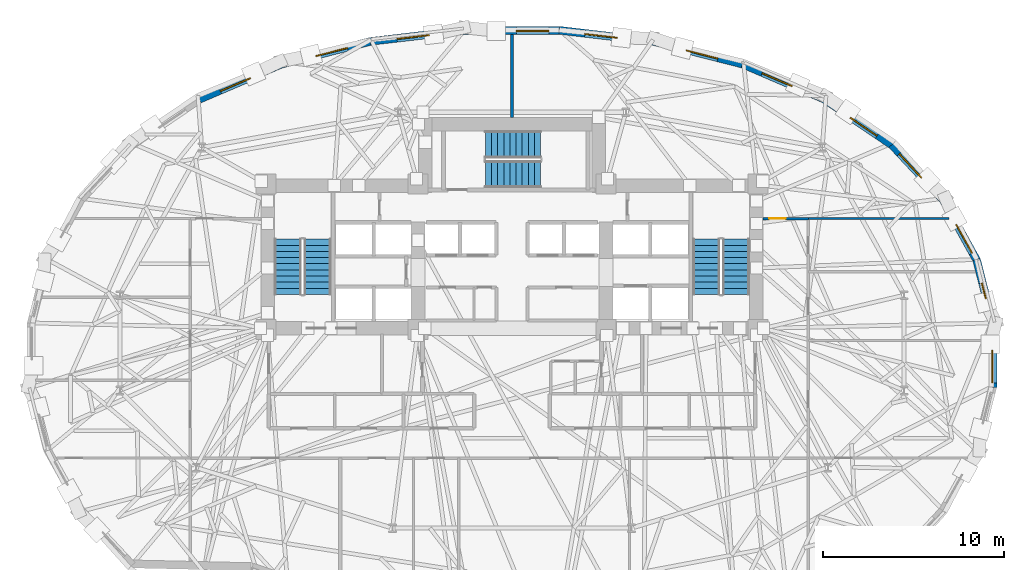
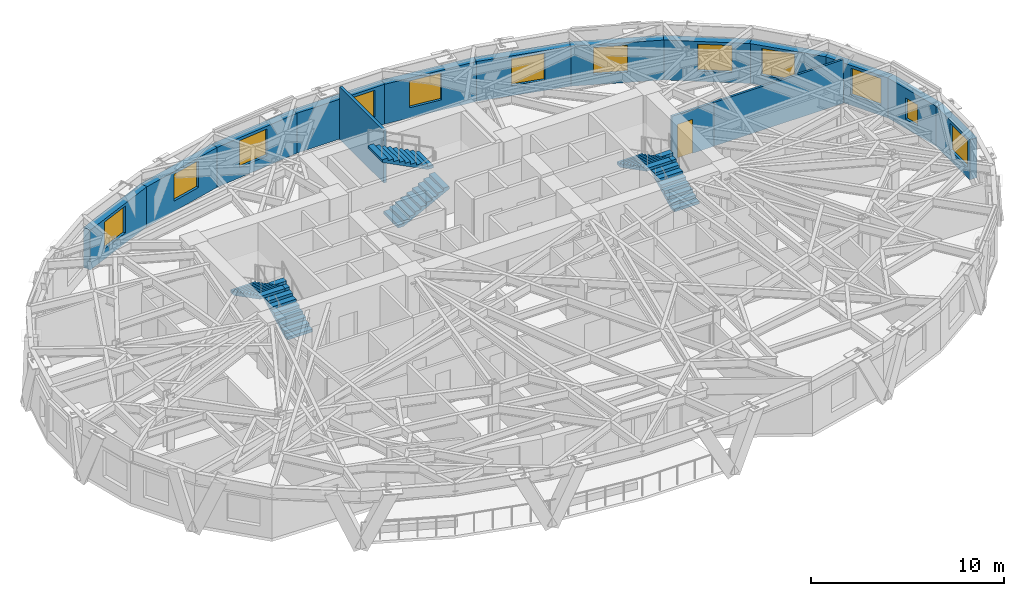
# One storey, part 11 of 15: 15 walls, 12 windows, 6 stair flights, 1 door, 13 openings, 3 elements without a shape of their own.
"""IFC4 building model written with IfcOpenShell, lengths in metres."""

from ifc_helpers import new_model, si_unit, direction, frame, frame_2d, origin, place, context, subcontext, project, spatial, polyline, rectangle, outline, extrude, material, layer, layer_set, type_object, element, fill, aggregate, save


model = new_model("IFC4")

# Units and contexts
model_context = context("Model", 3, precision=1e-05, world=origin(), true_north=direction((0.0, 1.0)))
body_context = subcontext(model_context, "Body", "Model", "MODEL_VIEW")
ifc_project = project(units=[si_unit("LENGTHUNIT", "METRE"), si_unit("AREAUNIT", "SQUARE_METRE"), si_unit("VOLUMEUNIT", "CUBIC_METRE"), si_unit("PLANEANGLEUNIT", "RADIAN"), si_unit("MASSUNIT", "GRAM", prefix="KILO")], contexts=[model_context])

# Site, building, storey
site_placement = place(None, origin())
site = spatial("IfcSite", under=ifc_project, at=site_placement, CompositionType="ELEMENT")
building_placement = place(site_placement, origin())
building = spatial("IfcBuilding", under=site, at=building_placement, Name="Keldmark Tower", CompositionType="ELEMENT")
storey_placement = place(building_placement, frame((0.0, 0.0, 114.10009765625)))
storey = spatial("IfcBuildingStorey", under=building, at=storey_placement, Name="L30", CompositionType="ELEMENT", Elevation=114.10009765625)

# Wall, opening, door
ifc_material_1 = material(Name="Acoustic Double-Layer Gypsum Corridor Partition", Category="gypsum")
ifc_layer_1 = layer(ifc_material_1, 0.139892578125)
ifc_layer_set_1 = layer_set([ifc_layer_1], Name="Acoustic Double-Layer Gypsum Corridor Partition")
wall_type_1 = type_object("IfcWallType", Name="Acoustic Corridor Partition 140 mm", PredefinedType="PARTITIONING", material=ifc_layer_set_1)
wall_1_placement = place(storey_placement, frame((13.89990234375, 7.550048828125, 0.0), z_axis=(0.0, 0.0, 1.0), x_axis=(1.0, 0.0, 0.0)))
wall_1 = element("IfcWall", 1, at=wall_1_placement, inside=storey, type_object=wall_type_1, Name="L30 Acoustic Corridor Partition 140 mm COR-EN-CAP", PredefinedType="PARTITIONING", context=body_context, shape_type="SweptSolid", body=[
    extrude(rectangle(XDim=2.5, YDim=0.139892578125, at=frame_2d((1.25, 0.0))), origin(), (0.0, 0.0, 1.0), 2.762939453125),
])
opening_1_placement = place(wall_1_placement, frame((0.320068359375, 0.0, 0.0)))
opening_1 = element("IfcOpeningElement", 2, at=opening_1_placement, cuts=wall_1, Name="Opening D-EX092", PredefinedType="OPENING", context=body_context, shape_type="SweptSolid", body=[
    extrude(rectangle(XDim=0.919921875, YDim=2.14990234375, at=frame_2d((0.4599609375, 1.074951171875))), frame((0.0, 0.079833984375, 0.0), z_axis=(0.0, -1.0, 0.0), x_axis=(1.0, 0.0, 0.0)), (0.0, 0.0, 1.0), 0.159912109375),
])
ifc_material_2 = material(Name="Flush American Ash Executive Office Door", Category="wood")
door_type = type_object("IfcDoorType", Name="Executive Office Door 920x2150", OperationType="NOTDEFINED", PredefinedType="DOOR", material=ifc_material_2)
door_placement = place(opening_1_placement, origin())
door = element("IfcDoor", 3, at=door_placement, inside=storey, type_object=door_type, Name="L30 Executive Office Door 920x2150 D-NRNE-L30", OperationType="SINGLE_SWING_RIGHT", OverallHeight=2.14990234375, OverallWidth=0.919921875, PredefinedType="DOOR", context=body_context, shape_type="SweptSolid", body=[
    extrude(rectangle(XDim=0.919921875, YDim=2.14990234375, at=frame_2d((0.4599609375, 1.074951171875))), frame((0.0, 0.02490234375, 0.0), z_axis=(0.0, -1.0, 0.0), x_axis=(1.0, 0.0, 0.0)), (0.0, 0.0, 1.0), 0.050048828125),
])
fill(opening_1, door)

# Walls
ifc_material_3 = material(Name="STC-58 Insulated Tenant Demising Gypsum Partition", Category="gypsum")
ifc_layer_2 = layer(ifc_material_3, 0.175048828125)
ifc_layer_set_2 = layer_set([ifc_layer_2], Name="STC-58 Insulated Tenant Demising Gypsum Partition")
wall_type_2 = type_object("IfcWallType", Name="Demising Suite Partition 175 mm", PredefinedType="PARTITIONING", material=ifc_layer_set_2)
wall_2_placement = place(storey_placement, frame((0.0, 13.14990234375, 0.0), z_axis=(0.0, 0.0, 1.0), x_axis=(0.0, 1.0, 0.0)))
element("IfcWall", 4, at=wall_2_placement, inside=storey, type_object=wall_type_2, Name="L30 Demising Suite Partition 175 mm N-MID-DIV", PredefinedType="PARTITIONING", context=body_context, shape_type="SweptSolid", body=[
    extrude(rectangle(XDim=4.584716796875, YDim=0.175048828125, at=frame_2d((2.29248046875, 0.0))), origin(), (0.0, 0.0, 1.0), 3.309814453125),
])
ifc_material_4 = material(Name="Acoustic Gypsum Board Interior Partition", Category="gypsum")
ifc_layer_3 = layer(ifc_material_4, 0.1298828125)
ifc_layer_set_3 = layer_set([ifc_layer_3], Name="Acoustic Gypsum Board Interior Partition")
wall_type_3 = type_object("IfcWallType", Name="Interior Partition 130 mm", PredefinedType="PARTITIONING", material=ifc_layer_set_3)
wall_3_placement = place(storey_placement, frame((16.39990234375, 7.550048828125, 0.0), z_axis=(0.0, 0.0, 1.0), x_axis=(1.0, 0.0, 0.0)))
element("IfcWall", 5, at=wall_3_placement, inside=storey, type_object=wall_type_3, Name="L30 Interior Partition 130 mm E-CAP-N", PredefinedType="PARTITIONING", context=body_context, shape_type="SweptSolid", body=[
    extrude(rectangle(XDim=7.769287109375, YDim=0.1298828125, at=frame_2d((3.884765625, 0.0))), origin(), (0.0, 0.0, 1.0), 2.762939453125),
])

# Wall, opening, window
ifc_material_5 = material(Name="Ironspot Manganese Brick and Kasota Buff Limestone Spandrel Assembly", Category="masonry")
ifc_layer_4 = layer(ifc_material_5, 0.43994140625)
ifc_layer_set_4 = layer_set([ifc_layer_4], Name="Ironspot Manganese Brick and Kasota Buff Limestone Spandrel Assembly")
wall_type_4 = type_object("IfcWallType", Name="Tower Brick Pier and Spandrel Wall 440 mm", PredefinedType="STANDARD", material=ifc_layer_set_4)
wall_4_placement = place(storey_placement, frame((25.704345703125, 5.275634765625, 0.0), z_axis=(0.0, 0.0, 1.0), x_axis=(0.247172296022, -0.968971545547, 0.0)))
wall_4 = element("IfcWall", 6, at=wall_4_placement, inside=storey, type_object=wall_type_4, Name="L30 Exterior Brick and Spandrel Wall 01", PredefinedType="STANDARD", context=body_context, shape_type="SweptSolid", body=[
    extrude(rectangle(XDim=3.652587890625, YDim=0.43994140625, at=frame_2d((1.826171875, 0.0))), origin(), (0.0, 0.0, 1.0), 2.52783203125),
])
opening_2_placement = place(wall_4_placement, frame((1.327392578125, 0.0, 0.580078125)))
opening_2 = element("IfcOpeningElement", 7, at=opening_2_placement, cuts=wall_4, Name="Opening W-09", PredefinedType="OPENING", context=body_context, shape_type="SweptSolid", body=[
    extrude(rectangle(XDim=0.89990234375, YDim=1.35009765625, at=frame_2d((0.449951171875, 0.675048828125))), frame((0.0, 0.22998046875, 0.0), z_axis=(0.0, -1.0, 0.0), x_axis=(1.0, 0.0, 0.0)), (0.0, 0.0, 1.0), 0.4599609375),
])
ifc_material_6 = material(Name="Thermally Broken Anodized Aluminum and Triple Low-E Argon Glazing", Category="aluminium")
window_type_1 = type_object("IfcWindowType", Name="Corner Pier Deep-Set Window 900x1350", PartitioningType="SINGLE_PANEL", PredefinedType="WINDOW", material=ifc_material_6)
window_1_placement = place(opening_2_placement, origin())
window_1 = element("IfcWindow", 8, at=window_1_placement, inside=storey, type_object=window_type_1, Name="L30 Deep-Set Window 01", OverallHeight=1.35009765625, OverallWidth=0.89990234375, PartitioningType="SINGLE_PANEL", PredefinedType="WINDOW", context=body_context, shape_type="SweptSolid", body=[
    extrude(rectangle(XDim=0.89990234375, YDim=1.35009765625, at=frame_2d((0.449951171875, 0.675048828125))), frame((0.0, -0.010009765625, 0.0), z_axis=(0.0, -1.0, 0.0), x_axis=(1.0, 0.0, 0.0)), (0.0, 0.0, 1.0), 0.06005859375),
])
fill(opening_2, window_1)

wall_5_placement = place(storey_placement, frame((23.84423828125, 8.60302734375, 0.0), z_axis=(0.0, 0.0, 1.0), x_axis=(0.486285838125, -0.873799796086, 0.0)))
wall_5 = element("IfcWall", 9, at=wall_5_placement, inside=storey, type_object=wall_type_4, Name="L30 Exterior Brick and Spandrel Wall 02", PredefinedType="STANDARD", context=body_context, shape_type="SweptSolid", body=[
    extrude(rectangle(XDim=3.868408203125, YDim=0.43994140625, at=frame_2d((1.93408203125, 0.0))), origin(), (0.0, 0.0, 1.0), 2.52783203125),
])
opening_3_placement = place(wall_5_placement, frame((1.57373046875, 0.0, 0.64990234375)))
opening_3 = element("IfcOpeningElement", 10, at=opening_3_placement, cuts=wall_5, Name="Opening W-02", PredefinedType="OPENING", context=body_context, shape_type="SweptSolid", body=[
    extrude(rectangle(XDim=1.800048828125, YDim=1.699951171875, at=frame_2d((0.89990234375, 0.85009765625))), frame((0.0, 0.22998046875, 0.0), z_axis=(0.0, -1.0, 0.0), x_axis=(1.0, 0.0, 0.0)), (0.0, 0.0, 1.0), 0.4599609375),
])
ifc_material_7 = material(Name="Thermally Broken Anodized Aluminum and Triple Low-E Argon Glazing", Category="aluminium")
window_type_2 = type_object("IfcWindowType", Name="Office Deep-Set Triple Window 1800x1700", PartitioningType="TRIPLE_PANEL_VERTICAL", PredefinedType="WINDOW", material=ifc_material_7)
window_2_placement = place(opening_3_placement, origin())
window_2 = element("IfcWindow", 11, at=window_2_placement, inside=storey, type_object=window_type_2, Name="L30 Deep-Set Window 02", OverallHeight=1.699951171875, OverallWidth=1.800048828125, PartitioningType="SINGLE_PANEL", PredefinedType="WINDOW", context=body_context, shape_type="SweptSolid", body=[
    extrude(rectangle(XDim=1.800048828125, YDim=1.699951171875, at=frame_2d((0.89990234375, 0.85009765625))), frame((0.0, -0.010009765625, 0.0), z_axis=(0.0, -1.0, 0.0), x_axis=(1.0, 0.0, 0.0)), (0.0, 0.0, 1.0), 0.06005859375),
])
fill(opening_3, window_2)

wall_6_placement = place(storey_placement, frame((21.010498046875, 11.629150390625, 0.0), z_axis=(0.0, 0.0, 1.0), x_axis=(0.682353469166, -0.73102239577, 0.0)))
wall_6 = element("IfcWall", 12, at=wall_6_placement, inside=storey, type_object=wall_type_4, Name="L30 Exterior Brick and Spandrel Wall 03", PredefinedType="STANDARD", context=body_context, shape_type="SweptSolid", body=[
    extrude(rectangle(XDim=4.19873046875, YDim=0.43994140625, at=frame_2d((2.099365234375, 0.0))), origin(), (0.0, 0.0, 1.0), 2.52783203125),
])
opening_4_placement = place(wall_6_placement, frame((0.649658203125, 0.0, 0.64990234375)))
opening_4 = element("IfcOpeningElement", 13, at=opening_4_placement, cuts=wall_6, Name="Opening W-02", PredefinedType="OPENING", context=body_context, shape_type="SweptSolid", body=[
    extrude(rectangle(XDim=1.800048828125, YDim=1.699951171875, at=frame_2d((0.89990234375, 0.85009765625))), frame((0.0, 0.22998046875, 0.0), z_axis=(0.0, -1.0, 0.0), x_axis=(1.0, 0.0, 0.0)), (0.0, 0.0, 1.0), 0.4599609375),
])
window_3_placement = place(opening_4_placement, origin())
window_3 = element("IfcWindow", 14, at=window_3_placement, inside=storey, type_object=window_type_2, Name="L30 Deep-Set Window 03", OverallHeight=1.699951171875, OverallWidth=1.800048828125, PartitioningType="SINGLE_PANEL", PredefinedType="WINDOW", context=body_context, shape_type="SweptSolid", body=[
    extrude(rectangle(XDim=1.800048828125, YDim=1.699951171875, at=frame_2d((0.89990234375, 0.85009765625))), frame((0.0, -0.010009765625, 0.0), z_axis=(0.0, -1.0, 0.0), x_axis=(1.0, 0.0, 0.0)), (0.0, 0.0, 1.0), 0.06005859375),
])
fill(opening_4, window_3)

wall_7_placement = place(storey_placement, frame((17.25146484375, 14.1708984375, 0.0), z_axis=(0.0, 0.0, 1.0), x_axis=(0.827717717125, -0.561144705719, 0.0)))
wall_7 = element("IfcWall", 15, at=wall_7_placement, inside=storey, type_object=wall_type_4, Name="L30 Exterior Brick and Spandrel Wall 04", PredefinedType="STANDARD", context=body_context, shape_type="SweptSolid", body=[
    extrude(rectangle(XDim=4.586669921875, YDim=0.43994140625, at=frame_2d((2.29345703125, 0.0))), origin(), (0.0, 0.0, 1.0), 2.52783203125),
])
opening_5_placement = place(wall_7_placement, frame((1.791015625, 0.0, 0.64990234375)))
opening_5 = element("IfcOpeningElement", 16, at=opening_5_placement, cuts=wall_7, Name="Opening W-02", PredefinedType="OPENING", context=body_context, shape_type="SweptSolid", body=[
    extrude(rectangle(XDim=1.800048828125, YDim=1.699951171875, at=frame_2d((0.89990234375, 0.85009765625))), frame((0.0, 0.22998046875, 0.0), z_axis=(0.0, -1.0, 0.0), x_axis=(1.0, 0.0, 0.0)), (0.0, 0.0, 1.0), 0.4599609375),
])
window_4_placement = place(opening_5_placement, origin())
window_4 = element("IfcWindow", 17, at=window_4_placement, inside=storey, type_object=window_type_2, Name="L30 Deep-Set Window 04", OverallHeight=1.699951171875, OverallWidth=1.800048828125, PartitioningType="SINGLE_PANEL", PredefinedType="WINDOW", context=body_context, shape_type="SweptSolid", body=[
    extrude(rectangle(XDim=1.800048828125, YDim=1.699951171875, at=frame_2d((0.89990234375, 0.85009765625))), frame((0.0, -0.010009765625, 0.0), z_axis=(0.0, -1.0, 0.0), x_axis=(1.0, 0.0, 0.0)), (0.0, 0.0, 1.0), 0.06005859375),
])
fill(opening_5, window_4)

wall_8_placement = place(storey_placement, frame((12.760986328125, 16.093017578125, 0.0), z_axis=(0.0, 0.0, 1.0), x_axis=(0.919001414266, -0.39425423343, 0.0)))
wall_8 = element("IfcWall", 18, at=wall_8_placement, inside=storey, type_object=wall_type_4, Name="L30 Exterior Brick and Spandrel Wall 05", PredefinedType="STANDARD", context=body_context, shape_type="SweptSolid", body=[
    extrude(rectangle(XDim=4.926025390625, YDim=0.43994140625, at=frame_2d((2.462890625, 0.0))), origin(), (0.0, 0.0, 1.0), 2.52783203125),
])
opening_6_placement = place(wall_8_placement, frame((1.19140625, 0.0, 0.64990234375)))
opening_6 = element("IfcOpeningElement", 19, at=opening_6_placement, cuts=wall_8, Name="Opening W-02", PredefinedType="OPENING", context=body_context, shape_type="SweptSolid", body=[
    extrude(rectangle(XDim=1.800048828125, YDim=1.699951171875, at=frame_2d((0.89990234375, 0.85009765625))), frame((0.0, 0.22998046875, 0.0), z_axis=(0.0, -1.0, 0.0), x_axis=(1.0, 0.0, 0.0)), (0.0, 0.0, 1.0), 0.4599609375),
])
window_5_placement = place(opening_6_placement, origin())
window_5 = element("IfcWindow", 20, at=window_5_placement, inside=storey, type_object=window_type_2, Name="L30 Deep-Set Window 05", OverallHeight=1.699951171875, OverallWidth=1.800048828125, PartitioningType="SINGLE_PANEL", PredefinedType="WINDOW", context=body_context, shape_type="SweptSolid", body=[
    extrude(rectangle(XDim=1.800048828125, YDim=1.699951171875, at=frame_2d((0.89990234375, 0.85009765625))), frame((0.0, -0.010009765625, 0.0), z_axis=(0.0, -1.0, 0.0), x_axis=(1.0, 0.0, 0.0)), (0.0, 0.0, 1.0), 0.06005859375),
])
fill(opening_6, window_5)

wall_9_placement = place(storey_placement, frame((7.8076171875, 17.357666015625, 0.0), z_axis=(0.0, 0.0, 1.0), x_axis=(0.968802439575, -0.247834285507, 0.0)))
wall_9 = element("IfcWall", 21, at=wall_9_placement, inside=storey, type_object=wall_type_4, Name="L30 Exterior Brick and Spandrel Wall 06", PredefinedType="STANDARD", context=body_context, shape_type="SweptSolid", body=[
    extrude(rectangle(XDim=5.146240234375, YDim=0.43994140625, at=frame_2d((2.5732421875, 0.0))), origin(), (0.0, 0.0, 1.0), 2.52783203125),
])
opening_7_placement = place(wall_9_placement, frame((1.897705078125, 0.0, 0.64990234375)))
opening_7 = element("IfcOpeningElement", 22, at=opening_7_placement, cuts=wall_9, Name="Opening W-02", PredefinedType="OPENING", context=body_context, shape_type="SweptSolid", body=[
    extrude(rectangle(XDim=1.800048828125, YDim=1.699951171875, at=frame_2d((0.89990234375, 0.85009765625))), frame((0.0, 0.22998046875, 0.0), z_axis=(0.0, -1.0, 0.0), x_axis=(1.0, 0.0, 0.0)), (0.0, 0.0, 1.0), 0.4599609375),
])
window_6_placement = place(opening_7_placement, origin())
window_6 = element("IfcWindow", 23, at=window_6_placement, inside=storey, type_object=window_type_2, Name="L30 Deep-Set Window 06", OverallHeight=1.699951171875, OverallWidth=1.800048828125, PartitioningType="SINGLE_PANEL", PredefinedType="WINDOW", context=body_context, shape_type="SweptSolid", body=[
    extrude(rectangle(XDim=1.800048828125, YDim=1.699951171875, at=frame_2d((0.89990234375, 0.85009765625))), frame((0.0, -0.010009765625, 0.0), z_axis=(0.0, -1.0, 0.0), x_axis=(1.0, 0.0, 0.0)), (0.0, 0.0, 1.0), 0.06005859375),
])
fill(opening_7, window_6)

wall_10_placement = place(storey_placement, frame((2.615966796875, 17.964111328125, 0.0), z_axis=(0.0, 0.0, 1.0), x_axis=(0.993202502633, -0.116399264444, 0.0)))
wall_10 = element("IfcWall", 24, at=wall_10_placement, inside=storey, type_object=wall_type_4, Name="L30 Exterior Brick and Spandrel Wall 07", PredefinedType="STANDARD", context=body_context, shape_type="SweptSolid", body=[
    extrude(rectangle(XDim=5.256103515625, YDim=0.43994140625, at=frame_2d((2.6279296875, 0.0))), origin(), (0.0, 0.0, 1.0), 2.52783203125),
])
opening_8_placement = place(wall_10_placement, frame((1.432373046875, 0.0, 0.64990234375)))
opening_8 = element("IfcOpeningElement", 25, at=opening_8_placement, cuts=wall_10, Name="Opening W-02", PredefinedType="OPENING", context=body_context, shape_type="SweptSolid", body=[
    extrude(rectangle(XDim=1.800048828125, YDim=1.699951171875, at=frame_2d((0.89990234375, 0.85009765625))), frame((0.0, 0.22998046875, 0.0), z_axis=(0.0, -1.0, 0.0), x_axis=(1.0, 0.0, 0.0)), (0.0, 0.0, 1.0), 0.4599609375),
])
window_7_placement = place(opening_8_placement, origin())
window_7 = element("IfcWindow", 26, at=window_7_placement, inside=storey, type_object=window_type_2, Name="L30 Deep-Set Window 07", OverallHeight=1.699951171875, OverallWidth=1.800048828125, PartitioningType="SINGLE_PANEL", PredefinedType="WINDOW", context=body_context, shape_type="SweptSolid", body=[
    extrude(rectangle(XDim=1.800048828125, YDim=1.699951171875, at=frame_2d((0.89990234375, 0.85009765625))), frame((0.0, -0.010009765625, 0.0), z_axis=(0.0, -1.0, 0.0), x_axis=(1.0, 0.0, 0.0)), (0.0, 0.0, 1.0), 0.06005859375),
])
fill(opening_8, window_7)

wall_11_placement = place(storey_placement, frame((-2.6416015625, 17.962646484375, 0.0), z_axis=(0.0, 0.0, 1.0), x_axis=(1.0, 0.0, 0.0)))
wall_11 = element("IfcWall", 27, at=wall_11_placement, inside=storey, type_object=wall_type_4, Name="L30 Exterior Brick and Spandrel Wall 08", PredefinedType="STANDARD", context=body_context, shape_type="SweptSolid", body=[
    extrude(rectangle(XDim=5.283203125, YDim=0.43994140625, at=frame_2d((2.6416015625, 0.0))), origin(), (0.0, 0.0, 1.0), 2.52783203125),
])
opening_9_placement = place(wall_11_placement, frame((2.885498046875, 0.0, 0.64990234375)))
opening_9 = element("IfcOpeningElement", 28, at=opening_9_placement, cuts=wall_11, Name="Opening W-02", PredefinedType="OPENING", context=body_context, shape_type="SweptSolid", body=[
    extrude(rectangle(XDim=1.800048828125, YDim=1.699951171875, at=frame_2d((0.89990234375, 0.85009765625))), frame((0.0, 0.22998046875, 0.0), z_axis=(0.0, -1.0, 0.0), x_axis=(1.0, 0.0, 0.0)), (0.0, 0.0, 1.0), 0.4599609375),
])
window_8_placement = place(opening_9_placement, origin())
window_8 = element("IfcWindow", 29, at=window_8_placement, inside=storey, type_object=window_type_2, Name="L30 Deep-Set Window 08", OverallHeight=1.699951171875, OverallWidth=1.800048828125, PartitioningType="SINGLE_PANEL", PredefinedType="WINDOW", context=body_context, shape_type="SweptSolid", body=[
    extrude(rectangle(XDim=1.800048828125, YDim=1.699951171875, at=frame_2d((0.89990234375, 0.85009765625))), frame((0.0, -0.010009765625, 0.0), z_axis=(0.0, -1.0, 0.0), x_axis=(1.0, 0.0, 0.0)), (0.0, 0.0, 1.0), 0.06005859375),
])
fill(opening_9, window_8)

wall_12_placement = place(storey_placement, frame((-7.83642578125, 17.352294921875, 0.0), z_axis=(0.0, 0.0, 1.0), x_axis=(0.993202502633, 0.116399264444, 0.0)))
wall_12 = element("IfcWall", 30, at=wall_12_placement, inside=storey, type_object=wall_type_4, Name="L30 Exterior Brick and Spandrel Wall 09", PredefinedType="STANDARD", context=body_context, shape_type="SweptSolid", body=[
    extrude(rectangle(XDim=5.256103515625, YDim=0.43994140625, at=frame_2d((2.6279296875, 0.0))), origin(), (0.0, 0.0, 1.0), 2.52783203125),
])
opening_10_placement = place(wall_12_placement, frame((1.481689453125, 0.0, 0.64990234375)))
opening_10 = element("IfcOpeningElement", 31, at=opening_10_placement, cuts=wall_12, Name="Opening W-02", PredefinedType="OPENING", context=body_context, shape_type="SweptSolid", body=[
    extrude(rectangle(XDim=1.800048828125, YDim=1.699951171875, at=frame_2d((0.89990234375, 0.85009765625))), frame((0.0, 0.22998046875, 0.0), z_axis=(0.0, -1.0, 0.0), x_axis=(1.0, 0.0, 0.0)), (0.0, 0.0, 1.0), 0.4599609375),
])
window_9_placement = place(opening_10_placement, origin())
window_9 = element("IfcWindow", 32, at=window_9_placement, inside=storey, type_object=window_type_2, Name="L30 Deep-Set Window 09", OverallHeight=1.699951171875, OverallWidth=1.800048828125, PartitioningType="SINGLE_PANEL", PredefinedType="WINDOW", context=body_context, shape_type="SweptSolid", body=[
    extrude(rectangle(XDim=1.800048828125, YDim=1.699951171875, at=frame_2d((0.89990234375, 0.85009765625))), frame((0.0, -0.010009765625, 0.0), z_axis=(0.0, -1.0, 0.0), x_axis=(1.0, 0.0, 0.0)), (0.0, 0.0, 1.0), 0.06005859375),
])
fill(opening_10, window_9)

wall_13_placement = place(storey_placement, frame((-12.793212890625, 16.082275390625, 0.0), z_axis=(0.0, 0.0, 1.0), x_axis=(0.968802439575, 0.247834285507, 0.0)))
wall_13 = element("IfcWall", 33, at=wall_13_placement, inside=storey, type_object=wall_type_4, Name="L30 Exterior Brick and Spandrel Wall 10", PredefinedType="STANDARD", context=body_context, shape_type="SweptSolid", body=[
    extrude(rectangle(XDim=5.146240234375, YDim=0.43994140625, at=frame_2d((2.5732421875, 0.0))), origin(), (0.0, 0.0, 1.0), 2.52783203125),
])
opening_11_placement = place(wall_13_placement, frame((1.997802734375, 0.0, 0.64990234375)))
opening_11 = element("IfcOpeningElement", 34, at=opening_11_placement, cuts=wall_13, Name="Opening W-02", PredefinedType="OPENING", context=body_context, shape_type="SweptSolid", body=[
    extrude(rectangle(XDim=1.800048828125, YDim=1.699951171875, at=frame_2d((0.89990234375, 0.85009765625))), frame((0.0, 0.22998046875, 0.0), z_axis=(0.0, -1.0, 0.0), x_axis=(1.0, 0.0, 0.0)), (0.0, 0.0, 1.0), 0.4599609375),
])
window_10_placement = place(opening_11_placement, origin())
window_10 = element("IfcWindow", 35, at=window_10_placement, inside=storey, type_object=window_type_2, Name="L30 Deep-Set Window 10", OverallHeight=1.699951171875, OverallWidth=1.800048828125, PartitioningType="SINGLE_PANEL", PredefinedType="WINDOW", context=body_context, shape_type="SweptSolid", body=[
    extrude(rectangle(XDim=1.800048828125, YDim=1.699951171875, at=frame_2d((0.89990234375, 0.85009765625))), frame((0.0, -0.010009765625, 0.0), z_axis=(0.0, -1.0, 0.0), x_axis=(1.0, 0.0, 0.0)), (0.0, 0.0, 1.0), 0.06005859375),
])
fill(opening_11, window_10)

wall_14_placement = place(storey_placement, frame((-17.2880859375, 14.15087890625, 0.0), z_axis=(0.0, 0.0, 1.0), x_axis=(0.919001414266, 0.39425423343, 0.0)))
wall_14 = element("IfcWall", 36, at=wall_14_placement, inside=storey, type_object=wall_type_4, Name="L30 Exterior Brick and Spandrel Wall 11", PredefinedType="STANDARD", context=body_context, shape_type="SweptSolid", body=[
    extrude(rectangle(XDim=4.926025390625, YDim=0.43994140625, at=frame_2d((2.462890625, 0.0))), origin(), (0.0, 0.0, 1.0), 2.52783203125),
])
opening_12_placement = place(wall_14_placement, frame((1.240966796875, 0.0, 0.64990234375)))
opening_12 = element("IfcOpeningElement", 37, at=opening_12_placement, cuts=wall_14, Name="Opening W-02", PredefinedType="OPENING", context=body_context, shape_type="SweptSolid", body=[
    extrude(rectangle(XDim=1.800048828125, YDim=1.699951171875, at=frame_2d((0.89990234375, 0.85009765625))), frame((0.0, 0.22998046875, 0.0), z_axis=(0.0, -1.0, 0.0), x_axis=(1.0, 0.0, 0.0)), (0.0, 0.0, 1.0), 0.4599609375),
])
window_11_placement = place(opening_12_placement, origin())
window_11 = element("IfcWindow", 38, at=window_11_placement, inside=storey, type_object=window_type_2, Name="L30 Deep-Set Window 11", OverallHeight=1.699951171875, OverallWidth=1.800048828125, PartitioningType="SINGLE_PANEL", PredefinedType="WINDOW", context=body_context, shape_type="SweptSolid", body=[
    extrude(rectangle(XDim=1.800048828125, YDim=1.699951171875, at=frame_2d((0.89990234375, 0.85009765625))), frame((0.0, -0.010009765625, 0.0), z_axis=(0.0, -1.0, 0.0), x_axis=(1.0, 0.0, 0.0)), (0.0, 0.0, 1.0), 0.06005859375),
])
fill(opening_12, window_11)

wall_15_placement = place(storey_placement, frame((26.600341796875, 1.790771484375, 0.0), z_axis=(0.0, 0.0, 1.0), x_axis=(0.0, -1.0, 0.0)))
wall_15 = element("IfcWall", 39, at=wall_15_placement, inside=storey, type_object=wall_type_4, Name="L30 Exterior Brick and Spandrel Wall 32", PredefinedType="STANDARD", context=body_context, shape_type="SweptSolid", body=[
    extrude(rectangle(XDim=3.58154296875, YDim=0.43994140625, at=frame_2d((1.790771484375, 0.0))), origin(), (0.0, 0.0, 1.0), 2.52783203125),
])
opening_13_placement = place(wall_15_placement, frame((1.5322265625, 0.0, 0.64990234375)))
opening_13 = element("IfcOpeningElement", 40, at=opening_13_placement, cuts=wall_15, Name="Opening W-02", PredefinedType="OPENING", context=body_context, shape_type="SweptSolid", body=[
    extrude(rectangle(XDim=1.800048828125, YDim=1.699951171875, at=frame_2d((0.89990234375, 0.85009765625))), frame((0.0, 0.22998046875, 0.0), z_axis=(0.0, -1.0, 0.0), x_axis=(1.0, 0.0, 0.0)), (0.0, 0.0, 1.0), 0.4599609375),
])
window_12_placement = place(opening_13_placement, origin())
window_12 = element("IfcWindow", 41, at=window_12_placement, inside=storey, type_object=window_type_2, Name="L30 Deep-Set Window 32", OverallHeight=1.699951171875, OverallWidth=1.800048828125, PartitioningType="SINGLE_PANEL", PredefinedType="WINDOW", context=body_context, shape_type="SweptSolid", body=[
    extrude(rectangle(XDim=1.800048828125, YDim=1.699951171875, at=frame_2d((0.89990234375, 0.85009765625))), frame((0.0, -0.010009765625, 0.0), z_axis=(0.0, -1.0, 0.0), x_axis=(1.0, 0.0, 0.0)), (0.0, 0.0, 1.0), 0.06005859375),
])
fill(opening_13, window_12)

# Stair, stair flights
ifc_material_8 = material(Name="Concrete C40/50", Category="concrete")
stair_type = type_object("IfcStairType", Name="Precast Concrete Core Exit Stair", PredefinedType="HALF_TURN_STAIR", material=ifc_material_8)
stair_1_placement = place(storey_placement, origin())
stair_1 = element("IfcStair", 42, at=stair_1_placement, inside=storey, type_object=stair_type, Name="L30 Exit Stair ST1", PredefinedType="HALF_TURN_STAIR")
ifc_material_9 = material(Name="Concrete C40/50", Category="concrete")
stair_flight_type = type_object("IfcStairFlightType", Name="Precast Concrete Stair Flight 1500 mm", PredefinedType="STRAIGHT", material=ifc_material_9)
stair_flight_1_placement = place(storey_placement, frame((-10.75, 3.35009765625, 0.0), z_axis=(0.0, 0.0, 1.0), x_axis=(0.0, 1.0, 0.0)))
stair_flight_1 = element("IfcStairFlight", 43, at=stair_flight_1_placement, type_object=stair_flight_type, Name="ST1 flight 1", NumberOfRisers=10, NumberOfTreads=9, PredefinedType="STRAIGHT", RiserHeight=0.175, TreadLength=0.34, context=body_context, shape_type="SweptSolid", body=[
    extrude(outline(polyline([(0.0, 0.0), (0.0, 0.175048828125), (0.340087890625, 0.175048828125), (0.340087890625, 0.35009765625), (0.679931640625, 0.35009765625), (0.679931640625, 0.52490234375), (1.02001953125, 0.52490234375), (1.02001953125, 0.699951171875), (1.360107421875, 0.699951171875), (1.360107421875, 0.875), (1.699951171875, 0.875), (1.699951171875, 1.050048828125), (2.0400390625, 1.050048828125), (2.0400390625, 1.22509765625), (2.3798828125, 1.22509765625), (2.3798828125, 1.39990234375), (2.719970703125, 1.39990234375), (2.719970703125, 1.574951171875), (3.06005859375, 1.574951171875), (3.06005859375, 1.75), (3.06005859375, 1.406494140625), (0.32763671875, 0.0), (0.0, 0.0)])), frame((0.0, 0.75, 0.0), z_axis=(0.0, -1.0, 0.0), x_axis=(1.0, 0.0, 0.0)), (0.0, 0.0, 1.0), 1.5),
])
stair_flight_2_placement = place(storey_placement, frame((-12.39990234375, 6.409912109375, 1.75), z_axis=(0.0, 0.0, 1.0), x_axis=(0.0, -1.0, 0.0)))
stair_flight_2 = element("IfcStairFlight", 44, at=stair_flight_2_placement, type_object=stair_flight_type, Name="ST1 flight 2", NumberOfRisers=10, NumberOfTreads=9, PredefinedType="STRAIGHT", RiserHeight=0.175, TreadLength=0.34, context=body_context, shape_type="SweptSolid", body=[
    extrude(outline(polyline([(0.0, 0.0), (0.0, 0.175048828125), (0.340087890625, 0.175048828125), (0.340087890625, 0.35009765625), (0.679931640625, 0.35009765625), (0.679931640625, 0.52490234375), (1.02001953125, 0.52490234375), (1.02001953125, 0.699951171875), (1.360107421875, 0.699951171875), (1.360107421875, 0.875), (1.699951171875, 0.875), (1.699951171875, 1.050048828125), (2.0400390625, 1.050048828125), (2.0400390625, 1.22509765625), (2.3798828125, 1.22509765625), (2.3798828125, 1.39990234375), (2.719970703125, 1.39990234375), (2.719970703125, 1.574951171875), (3.06005859375, 1.574951171875), (3.06005859375, 1.75), (3.06005859375, 1.406494140625), (0.32763671875, 0.0), (0.0, 0.0)])), frame((0.0, 0.75, 0.0), z_axis=(0.0, -1.0, 0.0), x_axis=(1.0, 0.0, 0.0)), (0.0, 0.0, 1.0), 1.5),
])
aggregate(stair_1, [stair_flight_1, stair_flight_2])

stair_2_placement = place(storey_placement, origin())
stair_2 = element("IfcStair", 45, at=stair_2_placement, inside=storey, type_object=stair_type, Name="L30 Exit Stair ST2", PredefinedType="HALF_TURN_STAIR")
stair_flight_3_placement = place(storey_placement, frame((12.39990234375, 3.35009765625, 0.0), z_axis=(0.0, 0.0, 1.0), x_axis=(0.0, 1.0, 0.0)))
stair_flight_3 = element("IfcStairFlight", 46, at=stair_flight_3_placement, type_object=stair_flight_type, Name="ST2 flight 1", NumberOfRisers=10, NumberOfTreads=9, PredefinedType="STRAIGHT", RiserHeight=0.175, TreadLength=0.34, context=body_context, shape_type="SweptSolid", body=[
    extrude(outline(polyline([(0.0, 0.0), (0.0, 0.175048828125), (0.340087890625, 0.175048828125), (0.340087890625, 0.35009765625), (0.679931640625, 0.35009765625), (0.679931640625, 0.52490234375), (1.02001953125, 0.52490234375), (1.02001953125, 0.699951171875), (1.360107421875, 0.699951171875), (1.360107421875, 0.875), (1.699951171875, 0.875), (1.699951171875, 1.050048828125), (2.0400390625, 1.050048828125), (2.0400390625, 1.22509765625), (2.3798828125, 1.22509765625), (2.3798828125, 1.39990234375), (2.719970703125, 1.39990234375), (2.719970703125, 1.574951171875), (3.06005859375, 1.574951171875), (3.06005859375, 1.75), (3.06005859375, 1.406494140625), (0.32763671875, 0.0), (0.0, 0.0)])), frame((0.0, 0.75, 0.0), z_axis=(0.0, -1.0, 0.0), x_axis=(1.0, 0.0, 0.0)), (0.0, 0.0, 1.0), 1.5),
])
stair_flight_4_placement = place(storey_placement, frame((10.75, 6.409912109375, 1.75), z_axis=(0.0, 0.0, 1.0), x_axis=(0.0, -1.0, 0.0)))
stair_flight_4 = element("IfcStairFlight", 47, at=stair_flight_4_placement, type_object=stair_flight_type, Name="ST2 flight 2", NumberOfRisers=10, NumberOfTreads=9, PredefinedType="STRAIGHT", RiserHeight=0.175, TreadLength=0.34, context=body_context, shape_type="SweptSolid", body=[
    extrude(outline(polyline([(0.0, 0.0), (0.0, 0.175048828125), (0.340087890625, 0.175048828125), (0.340087890625, 0.35009765625), (0.679931640625, 0.35009765625), (0.679931640625, 0.52490234375), (1.02001953125, 0.52490234375), (1.02001953125, 0.699951171875), (1.360107421875, 0.699951171875), (1.360107421875, 0.875), (1.699951171875, 0.875), (1.699951171875, 1.050048828125), (2.0400390625, 1.050048828125), (2.0400390625, 1.22509765625), (2.3798828125, 1.22509765625), (2.3798828125, 1.39990234375), (2.719970703125, 1.39990234375), (2.719970703125, 1.574951171875), (3.06005859375, 1.574951171875), (3.06005859375, 1.75), (3.06005859375, 1.406494140625), (0.32763671875, 0.0), (0.0, 0.0)])), frame((0.0, 0.75, 0.0), z_axis=(0.0, -1.0, 0.0), x_axis=(1.0, 0.0, 0.0)), (0.0, 0.0, 1.0), 1.5),
])
aggregate(stair_2, [stair_flight_3, stair_flight_4])

stair_3_placement = place(storey_placement, origin())
stair_3 = element("IfcStair", 48, at=stair_3_placement, inside=storey, type_object=stair_type, Name="L30 Exit Stair ST3", PredefinedType="HALF_TURN_STAIR")
stair_flight_5_placement = place(storey_placement, frame((-1.47509765625, 10.0, 0.0), z_axis=(0.0, 0.0, 1.0), x_axis=(1.0, 0.0, 0.0)))
stair_flight_5 = element("IfcStairFlight", 49, at=stair_flight_5_placement, type_object=stair_flight_type, Name="ST3 flight 1", NumberOfRisers=10, NumberOfTreads=9, PredefinedType="STRAIGHT", RiserHeight=0.175, TreadLength=0.34, context=body_context, shape_type="SweptSolid", body=[
    extrude(outline(polyline([(0.0, 0.0), (0.0, 0.175048828125), (0.340087890625, 0.175048828125), (0.340087890625, 0.35009765625), (0.679931640625, 0.35009765625), (0.679931640625, 0.52490234375), (1.02001953125, 0.52490234375), (1.02001953125, 0.699951171875), (1.360107421875, 0.699951171875), (1.360107421875, 0.875), (1.699951171875, 0.875), (1.699951171875, 1.050048828125), (2.0400390625, 1.050048828125), (2.0400390625, 1.22509765625), (2.3798828125, 1.22509765625), (2.3798828125, 1.39990234375), (2.719970703125, 1.39990234375), (2.719970703125, 1.574951171875), (3.06005859375, 1.574951171875), (3.06005859375, 1.75), (3.06005859375, 1.406494140625), (0.32763671875, 0.0), (0.0, 0.0)])), frame((0.0, 0.75, 0.0), z_axis=(0.0, -1.0, 0.0), x_axis=(1.0, 0.0, 0.0)), (0.0, 0.0, 1.0), 1.5),
])
stair_flight_6_placement = place(storey_placement, frame((1.5849609375, 11.64990234375, 1.75), z_axis=(0.0, 0.0, 1.0), x_axis=(-1.0, 0.0, 0.0)))
stair_flight_6 = element("IfcStairFlight", 50, at=stair_flight_6_placement, type_object=stair_flight_type, Name="ST3 flight 2", NumberOfRisers=10, NumberOfTreads=9, PredefinedType="STRAIGHT", RiserHeight=0.175, TreadLength=0.34, context=body_context, shape_type="SweptSolid", body=[
    extrude(outline(polyline([(0.0, 0.0), (0.0, 0.175048828125), (0.340087890625, 0.175048828125), (0.340087890625, 0.35009765625), (0.679931640625, 0.35009765625), (0.679931640625, 0.52490234375), (1.02001953125, 0.52490234375), (1.02001953125, 0.699951171875), (1.360107421875, 0.699951171875), (1.360107421875, 0.875), (1.699951171875, 0.875), (1.699951171875, 1.050048828125), (2.0400390625, 1.050048828125), (2.0400390625, 1.22509765625), (2.3798828125, 1.22509765625), (2.3798828125, 1.39990234375), (2.719970703125, 1.39990234375), (2.719970703125, 1.574951171875), (3.06005859375, 1.574951171875), (3.06005859375, 1.75), (3.06005859375, 1.406494140625), (0.32763671875, 0.0), (0.0, 0.0)])), frame((0.0, 0.75, 0.0), z_axis=(0.0, -1.0, 0.0), x_axis=(1.0, 0.0, 0.0)), (0.0, 0.0, 1.0), 1.5),
])
aggregate(stair_3, [stair_flight_5, stair_flight_6])

save(model, "model.ifc")
